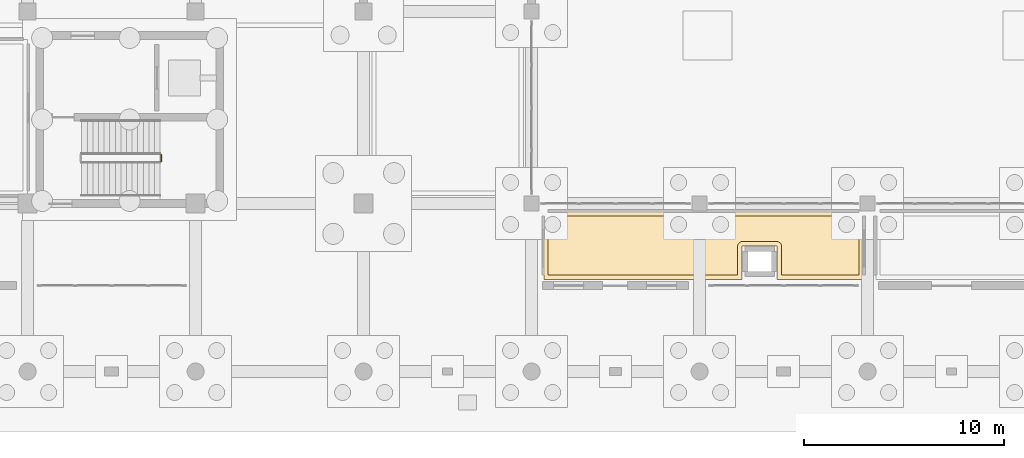
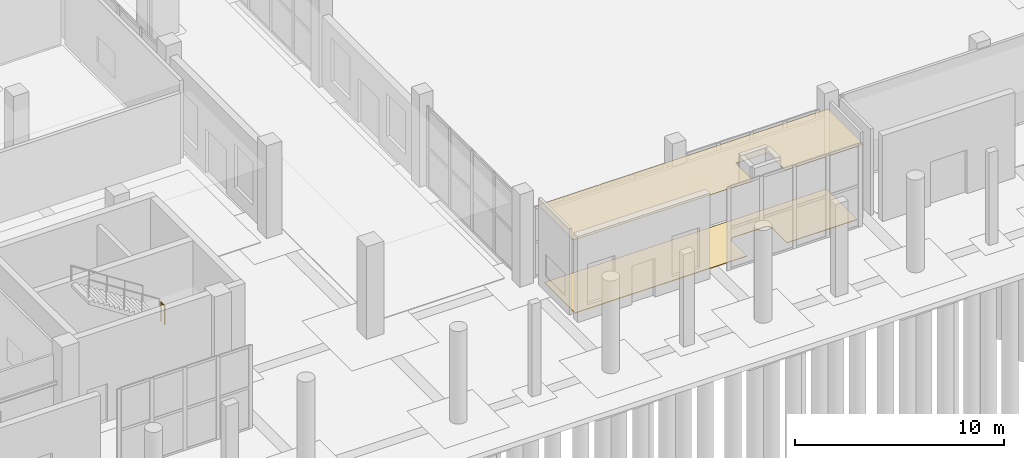
# One storey, part 55 of 65: 2 coverings, 1 railing.
"""IFC4 building model written with IfcOpenShell, lengths in metres."""

import ifcopenshell
import ifcopenshell.guid

model = None  # the IFC model being written
_history = None  # IfcOwnerHistory: only IFC2X3 demands one
_inside = {}  # id of a spatial element -> (the spatial element, [elements in it])
_under = {}  # id of a project, library or spatial element -> (it, [spatial elements below it])
_declared = {}  # id of a project -> (the project, [libraries it declares])
_typed = {}  # id of a type object -> (the type object, [elements of that type])
_made_of = {}  # id of a material, layer set ... -> (it, [elements and type objects made of it])


def new_model(schema):
    """Start an empty IFC model of exactly this schema.

    Asked for "IFC4X3", IfcOpenShell would pick the latest addendum, in which some entities
    have other attributes; the version numbers below select the first issue.
    IFC2X3 requires an IfcOwnerHistory on every rooted entity: one is made here for all.
    """
    global model, _history
    if schema == "IFC4X3":
        model = ifcopenshell.file(schema_version=(4, 3, 0, 0))
    else:
        model = ifcopenshell.file(schema=schema)
    _inside.clear()
    _under.clear()
    _declared.clear()
    _typed.clear()
    _made_of.clear()
    _history = None
    if model.schema == "IFC2X3":
        org = make("IfcOrganization", Name="unknown")
        user = make(
            "IfcPersonAndOrganization",
            ThePerson=make("IfcPerson", FamilyName="unknown"),
            TheOrganization=org,
        )
        app = make(
            "IfcApplication",
            ApplicationDeveloper=org,
            Version="unknown",
            ApplicationFullName="unknown",
            ApplicationIdentifier="unknown",
        )
        _history = make(
            "IfcOwnerHistory",
            OwningUser=user,
            OwningApplication=app,
            ChangeAction="ADDED",
            CreationDate=0,
        )
    return model


def make(cls, **values):
    """One entity of the class cls with the attributes given. An attribute that is None is left unset."""
    return model.create_entity(
        cls, **{name: value for name, value in values.items() if value is not None}
    )


def rooted(cls, **values):
    """An entity with a GlobalId (a new one), such as an element, a storey or a relation."""
    return make(cls, GlobalId=ifcopenshell.guid.new(), OwnerHistory=_history, **values)


def si_unit(unit_type, name, prefix=None):
    """IfcSIUnit, for example si_unit("LENGTHUNIT", "METRE", prefix="MILLI")."""
    return make("IfcSIUnit", UnitType=unit_type, Prefix=prefix, Name=name)


def assignment(units):
    """IfcUnitAssignment: the units of a project."""
    return None if units is None else make("IfcUnitAssignment", Units=units)


def point(xyz):
    """IfcCartesianPoint."""
    return None if xyz is None else make("IfcCartesianPoint", Coordinates=xyz)


def direction(xyz):
    """IfcDirection."""
    return None if xyz is None else make("IfcDirection", DirectionRatios=xyz)


def frame(location, z_axis=None, x_axis=None):
    """IfcAxis2Placement3D, a coordinate frame: its origin and axes. An axis left out is left unset."""
    return make(
        "IfcAxis2Placement3D",
        Location=point(location),
        Axis=direction(z_axis),
        RefDirection=direction(x_axis),
    )


def frame_2d(location, x_axis=None):
    """IfcAxis2Placement2D, a coordinate frame in the plane: its origin and x axis."""
    return make(
        "IfcAxis2Placement2D", Location=point(location), RefDirection=direction(x_axis)
    )


def origin():
    """The frame at (0, 0, 0) with its axes left unset."""
    return frame((0.0, 0.0, 0.0))


def origin_2d():
    """The frame at (0, 0) in the plane with its x axis left unset."""
    return frame_2d((0.0, 0.0))


def place(relative_to, where):
    """IfcLocalPlacement: puts the frame where relative to a parent placement (None: the world)."""
    return make(
        "IfcLocalPlacement", PlacementRelTo=relative_to, RelativePlacement=where
    )


def context(
    kind, dimensions, precision=None, world=None, true_north=None, identifier=None
):
    """IfcGeometricRepresentationContext, for example the 3D "Model" context."""
    return make(
        "IfcGeometricRepresentationContext",
        ContextIdentifier=identifier,
        ContextType=kind,
        CoordinateSpaceDimension=dimensions,
        Precision=precision,
        WorldCoordinateSystem=world,
        TrueNorth=true_north,
    )


def subcontext(parent, identifier, kind, view, scale=None):
    """IfcGeometricRepresentationSubContext, for example "Body" below "Model"."""
    return make(
        "IfcGeometricRepresentationSubContext",
        ContextIdentifier=identifier,
        ContextType=kind,
        ParentContext=parent,
        TargetScale=scale,
        TargetView=view,
    )


def project(units=None, contexts=None):
    """IfcProject with its units and contexts."""
    return rooted(
        "IfcProject",
        Name="project",
        RepresentationContexts=contexts,
        UnitsInContext=assignment(units),
    )


def spatial(cls, under=None, at=None, **own):
    """A site, building, storey or space (cls), placed at a placement, below another one or the project."""
    s = rooted(cls, ObjectPlacement=at, **own)
    if under is not None:
        _under.setdefault(under.id(), (under, []))[1].append(s)
    return s


def polyline(points):
    """IfcPolyline through the points."""
    return make("IfcPolyline", Points=[point(p) for p in points])


def profile(cls, at=None, kind="AREA", **sizes):
    """A parametric profile (cls). Its sizes go by their IFC names, for example OverallWidth=200.0."""
    return make(cls, ProfileType=kind, Position=at, **sizes)


def circle(**sizes):
    """IfcCircleProfileDef."""
    return profile("IfcCircleProfileDef", **sizes)


def outline(outer, holes=None, kind="AREA"):
    """IfcArbitraryClosedProfileDef: a profile drawn as a closed curve; with holes, ...WithVoids."""
    if holes is None:
        return make("IfcArbitraryClosedProfileDef", ProfileType=kind, OuterCurve=outer)
    return make(
        "IfcArbitraryProfileDefWithVoids",
        ProfileType=kind,
        OuterCurve=outer,
        InnerCurves=holes,
    )


def extrude(swept, where, along, depth):
    """IfcExtrudedAreaSolid: the profile swept, set in the frame where, extruded along a direction by depth."""
    return make(
        "IfcExtrudedAreaSolid",
        SweptArea=swept,
        Position=where,
        ExtrudedDirection=direction(along),
        Depth=depth,
    )


def shape(context_of_items, identifier, shape_type, items):
    """IfcShapeRepresentation: the items that make up one representation, for example the "Body"."""
    return make(
        "IfcShapeRepresentation",
        ContextOfItems=context_of_items,
        RepresentationIdentifier=identifier,
        RepresentationType=shape_type,
        Items=items,
    )


def material(Name=None, Category=None):
    """IfcMaterial."""
    return make("IfcMaterial", Name=Name, Category=Category)


def layer(
    of_material, thickness, ventilated=None, Name=None, Category=None, Priority=None
):
    """IfcMaterialLayer: one layer of a wall or slab, of a material (None: an air gap)."""
    return make(
        "IfcMaterialLayer",
        Material=of_material,
        LayerThickness=thickness,
        IsVentilated=ventilated,
        Name=Name,
        Category=Category,
        Priority=Priority,
    )


def layer_set(layers, Name=None):
    """IfcMaterialLayerSet."""
    return make("IfcMaterialLayerSet", MaterialLayers=layers, LayerSetName=Name)


def made_of(thing, what):
    """Note that an element or type object is made of a material, layer set ...; save() writes the relation."""
    if what is not None:
        _made_of.setdefault(what.id(), (what, []))[1].append(thing)
    return thing


def type_object(cls, material=None, **own):
    """A type object (cls), such as IfcWallType, which elements share."""
    return made_of(rooted(cls, **own), material)


def element(
    cls,
    number,
    at=None,
    inside=None,
    cuts=None,
    type_object=None,
    material=None,
    context=None,
    identifier="Body",
    shape_type=None,
    held_by="IfcProductDefinitionShape",
    body=None,
    shapes=None,
    **own,
):
    """One element of the class cls, such as IfcWall. Its Tag is "e" and its number.

    at: its placement. inside: the storey or other place that contains it. cuts: it is an
    opening in that element (IfcRelVoidsElement). A single representation is given by context,
    identifier, shape_type and body (its items); several are given by shapes. held_by: the class
    of the entity that holds the representations. save() writes the other relations.
    """
    e = rooted(cls, Tag="e%d" % number, ObjectPlacement=at, **own)
    if body is not None:
        shapes = [shape(context, identifier, shape_type, body)]
    if shapes is not None:
        e.Representation = make(held_by, Representations=shapes)
    if inside is not None:
        _inside.setdefault(inside.id(), (inside, []))[1].append(e)
    if cuts is not None:
        rooted(
            "IfcRelVoidsElement", RelatingBuildingElement=cuts, RelatedOpeningElement=e
        )
    if type_object is not None:
        _typed.setdefault(type_object.id(), (type_object, []))[1].append(e)
    return made_of(e, material)


def aggregate(whole, parts):
    """IfcRelAggregates: a whole, such as a stair, and the parts it consists of."""
    return rooted("IfcRelAggregates", RelatingObject=whole, RelatedObjects=parts)


def save(model, path):
    """Write the relations noted so far, then the file.

    IfcRelAggregates (storeys below a building ...), IfcRelContainedInSpatialStructure (elements
    in a storey), IfcRelDefinesByType, IfcRelAssociatesMaterial and IfcRelDeclares: one each for
    every whole, place, type object, material and project.
    """
    for whole, parts in _under.values():
        aggregate(whole, parts)
    for where, things in _inside.values():
        rooted(
            "IfcRelContainedInSpatialStructure",
            RelatedElements=things,
            RelatingStructure=where,
        )
    for kind, things in _typed.values():
        rooted("IfcRelDefinesByType", RelatedObjects=things, RelatingType=kind)
    for what, things in _made_of.values():
        rooted("IfcRelAssociatesMaterial", RelatedObjects=things, RelatingMaterial=what)
    for by, libraries in _declared.values():
        rooted("IfcRelDeclares", RelatingContext=by, RelatedDefinitions=libraries)
    model.write(path)


model = new_model("IFC4")

# Units and contexts
model_context = context("Model", 3, precision=1e-05, world=origin(), true_north=direction((0.0, 1.0)))
body_context = subcontext(model_context, "Body", "Model", "MODEL_VIEW")
ifc_project = project(units=[si_unit("LENGTHUNIT", "METRE"), si_unit("AREAUNIT", "SQUARE_METRE"), si_unit("VOLUMEUNIT", "CUBIC_METRE"), si_unit("PLANEANGLEUNIT", "RADIAN"), si_unit("MASSUNIT", "GRAM", prefix="KILO")], contexts=[model_context])

# Site, building, storey
site_placement = place(None, origin())
site = spatial("IfcSite", under=ifc_project, at=site_placement, CompositionType="ELEMENT")
building_placement = place(site_placement, origin())
building = spatial("IfcBuilding", under=site, at=building_placement, Name="Zulmaris Art Gallery", CompositionType="ELEMENT")
storey_placement = place(building_placement, origin())
storey = spatial("IfcBuildingStorey", under=building, at=storey_placement, Name="L00", CompositionType="ELEMENT", Elevation=0.0)

# Coverings
ifc_material_1 = material(Name="Micro-Perforated Gypsum Acoustic Ceiling", Category="gypsum")
ifc_layer_1 = layer(ifc_material_1, 0.02490234375)
ifc_layer_set_1 = layer_set([ifc_layer_1], Name="Micro-Perforated Gypsum Acoustic Ceiling")
covering_type_1 = type_object("IfcCoveringType", Name="COV-CL01", PredefinedType="CEILING", material=ifc_layer_set_1)
covering_1_placement = place(storey_placement, frame((0.0, 0.0, 4.449951171875)))
element("IfcCovering", 1, at=covering_1_placement, inside=storey, type_object=covering_type_1, Name="Cafe Preparation Kitchen acoustic ceiling", PredefinedType="CEILING", context=body_context, shape_type="SweptSolid", body=[
    extrude(outline(polyline([(107.7900390625, 21.18994140625), (107.7900390625, 17.81005859375), (103.47998046875, 17.81005859375), (103.47998046875, 19.444580078125), (103.4794921875, 19.452880859375), (103.479248046875, 19.455810546875), (103.478515625, 19.45849609375), (103.4775390625, 19.46142578125), (103.476318359375, 19.464111328125), (103.474609375, 19.466552734375), (103.472900390625, 19.468994140625), (103.470947265625, 19.470947265625), (103.468994140625, 19.472900390625), (103.466552734375, 19.474609375), (103.464111328125, 19.476318359375), (103.46142578125, 19.4775390625), (103.45849609375, 19.478515625), (103.455810546875, 19.479248046875), (103.452880859375, 19.4794921875), (103.444580078125, 19.47998046875), (101.75537109375, 19.47998046875), (101.7470703125, 19.4794921875), (101.744140625, 19.479248046875), (101.741455078125, 19.478515625), (101.738525390625, 19.4775390625), (101.736083984375, 19.476318359375), (101.7333984375, 19.474609375), (101.731201171875, 19.472900390625), (101.72900390625, 19.470947265625), (101.72705078125, 19.468994140625), (101.725341796875, 19.466552734375), (101.723876953125, 19.464111328125), (101.722412109375, 19.46142578125), (101.721435546875, 19.45849609375), (101.720703125, 19.455810546875), (101.720458984375, 19.452880859375), (101.719970703125, 19.444580078125), (101.719970703125, 17.81005859375), (91.81005859375, 17.81005859375), (91.81005859375, 21.18994140625), (107.7900390625, 21.18994140625)])), origin(), (0.0, 0.0, 1.0), 0.030029296875),
])
ifc_material_2 = material(Name="Honed Omani Limestone Terrazzo Flooring", Category="masonry")
ifc_layer_2 = layer(ifc_material_2, 0.0400390625)
ifc_layer_set_2 = layer_set([ifc_layer_2], Name="Honed Omani Limestone Terrazzo Flooring")
covering_type_2 = type_object("IfcCoveringType", Name="COV-FL01", PredefinedType="FLOORING", material=ifc_layer_set_2)
covering_2_placement = place(storey_placement, origin())
element("IfcCovering", 2, at=covering_2_placement, inside=storey, type_object=covering_type_2, Name="Cafe Preparation Kitchen finish flooring", PredefinedType="FLOORING", context=body_context, shape_type="SweptSolid", body=[
    extrude(outline(polyline([(92.030029296875, 18.030029296875), (92.030029296875, 20.969970703125), (107.570068359375, 20.969970703125), (107.570068359375, 18.030029296875), (103.699951171875, 18.030029296875), (103.699951171875, 19.449951171875), (103.69873046875, 19.474609375), (103.6953125, 19.498779296875), (103.689208984375, 19.522705078125), (103.680908203125, 19.545654296875), (103.67041015625, 19.56787109375), (103.657958984375, 19.5888671875), (103.643310546875, 19.608642578125), (103.626708984375, 19.626708984375), (103.608642578125, 19.643310546875), (103.5888671875, 19.657958984375), (103.56787109375, 19.67041015625), (103.545654296875, 19.680908203125), (103.522705078125, 19.689208984375), (103.498779296875, 19.6953125), (103.474609375, 19.69873046875), (103.449951171875, 19.699951171875), (101.75, 19.699951171875), (101.7255859375, 19.69873046875), (101.701171875, 19.6953125), (101.677490234375, 19.689208984375), (101.654296875, 19.680908203125), (101.632080078125, 19.67041015625), (101.611083984375, 19.657958984375), (101.59130859375, 19.643310546875), (101.5732421875, 19.626708984375), (101.556640625, 19.608642578125), (101.5419921875, 19.5888671875), (101.529541015625, 19.56787109375), (101.51904296875, 19.545654296875), (101.5107421875, 19.522705078125), (101.5048828125, 19.498779296875), (101.501220703125, 19.474609375), (101.5, 19.449951171875), (101.5, 18.030029296875), (92.030029296875, 18.030029296875)])), origin(), (0.0, 0.0, 1.0), 0.034912109375),
])

# Railing
ifc_material_3 = material(Name="Steel S355J2", Category="steel")
ifc_layer_3 = layer(ifc_material_3, 0.050048828125)
ifc_layer_set_3 = layer_set([ifc_layer_3], Name="Steel S355J2")
railing_type = type_object("IfcRailingType", Name="RAIL-STGRD", PredefinedType="GUARDRAIL", material=ifc_layer_set_3)
railing_placement = place(storey_placement, frame((72.669921875, 23.699951171875, 2.699951171875)))
element("IfcRailing", 3, at=railing_placement, inside=storey, type_object=railing_type, Name="L00 ST2 stair guard 2", PredefinedType="GUARDRAIL", context=body_context, shape_type="SweptSolid", body=[
    extrude(circle(Radius=0.02392578125, at=origin_2d()), frame((0.0, 0.0, 1.076171875), z_axis=(0.0, 1.0, 0.0), x_axis=(-1.0, 0.0, 0.0)), (0.0, 0.0, 1.0), 0.340087890625),
    extrude(circle(Radius=0.02099609375, at=origin_2d()), origin(), (0.0, 0.0, 1.0), 1.052001953125),
    extrude(circle(Radius=0.02099609375, at=origin_2d()), frame((0.0, 0.340087890625, 0.0)), (0.0, 0.0, 1.0), 1.052001953125),
])

save(model, "model.ifc")
